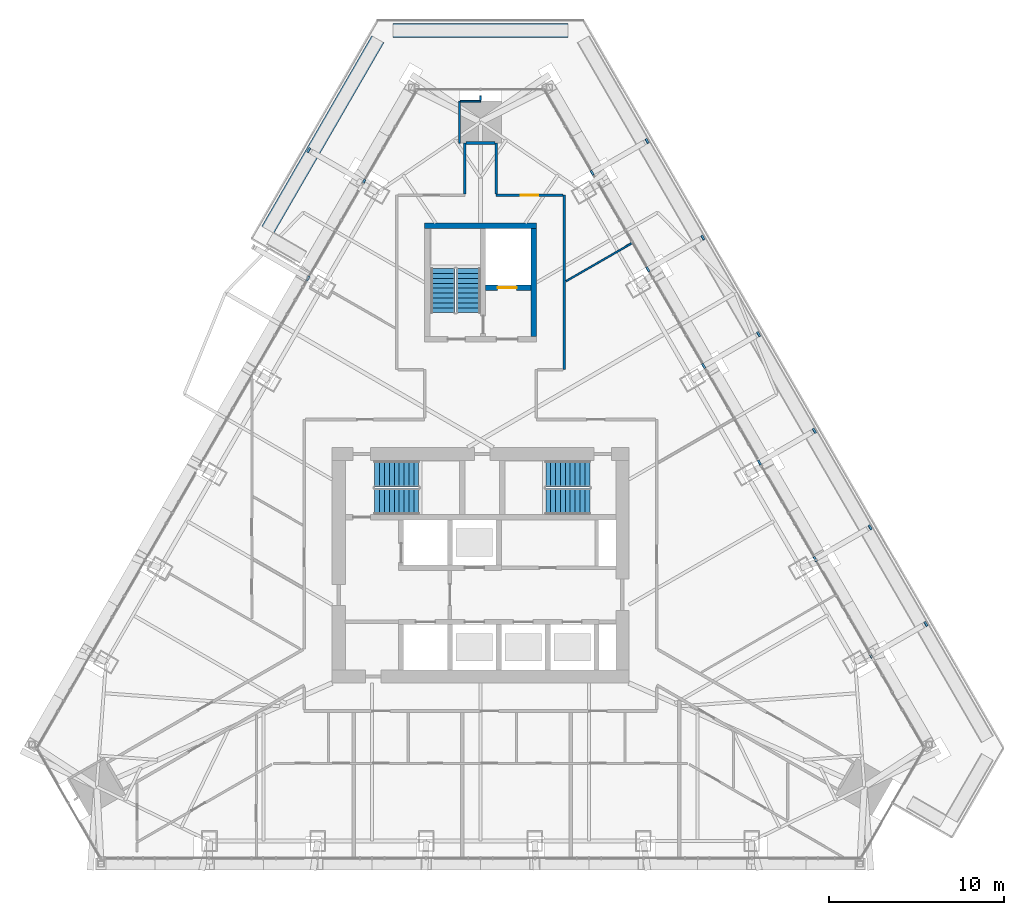
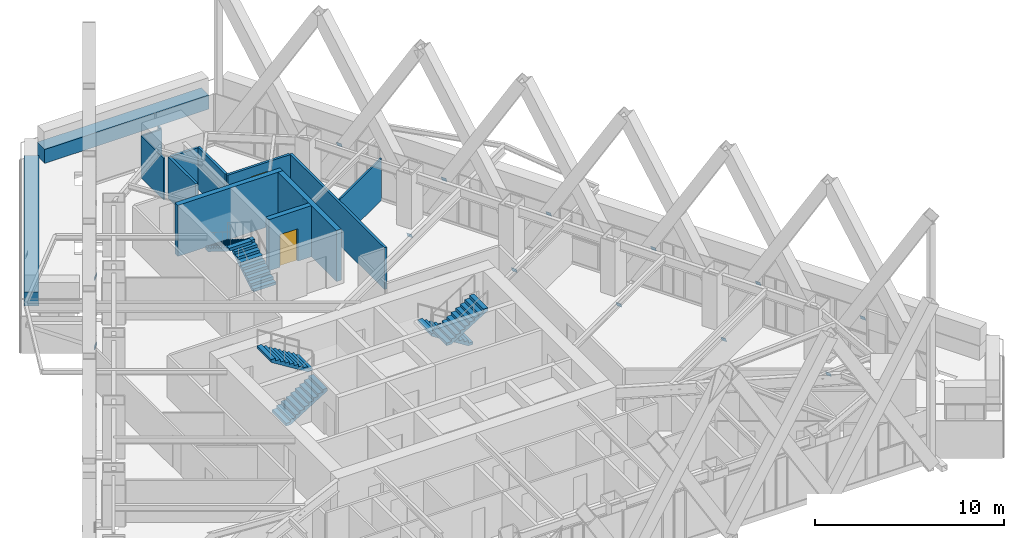
# One storey, part 20 of 23: 15 discrete accessories, 14 walls, 6 stair flights, 2 doors, 2 openings, 3 elements without a shape of their own.
"""IFC4 building model written with IfcOpenShell, lengths in metres."""

from ifc_helpers import new_model, si_unit, direction, frame, frame_2d, origin, place, context, subcontext, project, spatial, polyline, rectangle, outline, extrude, material, layer, layer_set, type_object, element, fill, aggregate, save


model = new_model("IFC4")

# Units and contexts
model_context = context("Model", 3, precision=1e-05, world=origin(), true_north=direction((0.0, 1.0)))
body_context = subcontext(model_context, "Body", "Model", "MODEL_VIEW")
ifc_project = project(units=[si_unit("LENGTHUNIT", "METRE"), si_unit("AREAUNIT", "SQUARE_METRE"), si_unit("VOLUMEUNIT", "CUBIC_METRE"), si_unit("PLANEANGLEUNIT", "RADIAN"), si_unit("MASSUNIT", "GRAM", prefix="KILO")], contexts=[model_context])

# Site, building, storey
site_placement = place(None, origin())
site = spatial("IfcSite", under=ifc_project, at=site_placement, CompositionType="ELEMENT")
building_placement = place(site_placement, origin())
building = spatial("IfcBuilding", under=site, at=building_placement, Name="Firuza Gate Tower and Library", CompositionType="ELEMENT")
storey_placement = place(building_placement, frame((0.0, 0.0, 291.60009765625)))
storey = spatial("IfcBuildingStorey", under=building, at=storey_placement, Name="L70", CompositionType="ELEMENT", Elevation=291.60009765625)

# Walls
ifc_material_1 = material(Name="Concrete C60/75", Category="concrete")
ifc_layer_1 = layer(ifc_material_1, 0.300048828125)
ifc_layer_set_1 = layer_set([ifc_layer_1], Name="Core wall 300 C60/75")
wall_type_1 = type_object("IfcWallType", Name="Core wall 300 C60/75", PredefinedType="SHEAR", material=ifc_layer_set_1)
wall_1_placement = place(storey_placement, frame((71.800048828125, 94.449951171875, 0.0), z_axis=(0.0, 0.0, 1.0), x_axis=(1.0, 0.0, 0.0)))
element("IfcWall", 1, at=wall_1_placement, inside=storey, type_object=wall_type_1, Name="Core wall L70 19", PredefinedType="SHEAR", context=body_context, shape_type="SweptSolid", body=[
    extrude(rectangle(XDim=6.39990234375, YDim=0.300048828125, at=frame_2d((3.199951171875, 0.0))), origin(), (0.0, 0.0, 1.0), 3.2998046875),
])
wall_2_placement = place(storey_placement, frame((78.050048828125, 88.10009765625, 0.0), z_axis=(0.0, 0.0, 1.0), x_axis=(0.0, 1.0, 0.0)))
element("IfcWall", 2, at=wall_2_placement, inside=storey, type_object=wall_type_1, Name="Core wall L70 21", PredefinedType="SHEAR", context=body_context, shape_type="SweptSolid", body=[
    extrude(rectangle(XDim=6.199951171875, YDim=0.300048828125, at=frame_2d((3.10009765625, 0.0))), origin(), (0.0, 0.0, 1.0), 3.2998046875),
])

# Wall, opening, door
wall_3_placement = place(storey_placement, frame((75.300048828125, 90.89990234375, 0.0), z_axis=(0.0, 0.0, 1.0), x_axis=(1.0, 0.0, 0.0)))
wall_3 = element("IfcWall", 3, at=wall_3_placement, inside=storey, type_object=wall_type_1, Name="Core wall L70 22", PredefinedType="SHEAR", context=body_context, shape_type="SweptSolid", body=[
    extrude(rectangle(XDim=2.599853515625, YDim=0.300048828125, at=frame_2d((1.2998046875, 0.0))), origin(), (0.0, 0.0, 1.0), 3.2998046875),
])
opening_1_placement = place(wall_3_placement, frame((0.675048828125, 0.0, 0.0)))
opening_1 = element("IfcOpeningElement", 4, at=opening_1_placement, cuts=wall_3, Name="Opening LD-SV1-L70", PredefinedType="OPENING", context=body_context, shape_type="SweptSolid", body=[
    extrude(rectangle(XDim=1.10009765625, YDim=2.10009765625, at=frame_2d((0.550048828125, 1.050048828125))), frame((0.0, 0.16015625, 0.0), z_axis=(0.0, -1.0, 0.0), x_axis=(1.0, 0.0, 0.0)), (0.0, 0.0, 1.0), 0.320068359375),
])
ifc_material_2 = material(Name="Stainless steel", Category="steel")
door_type_1 = type_object("IfcDoorType", Name="Lift landing door 1100x2100", OperationType="DOUBLE_DOOR_SLIDING", PredefinedType="DOOR", material=ifc_material_2)
door_1_placement = place(opening_1_placement, origin())
door_1 = element("IfcDoor", 5, at=door_1_placement, inside=storey, type_object=door_type_1, Name="Landing door SV1 L70", OperationType="DOUBLE_DOOR_SLIDING", OverallHeight=2.10009765625, OverallWidth=1.10009765625, PredefinedType="DOOR", context=body_context, shape_type="SweptSolid", body=[
    extrude(rectangle(XDim=1.10009765625, YDim=2.10009765625, at=frame_2d((0.550048828125, 1.050048828125))), frame((0.0, 0.02490234375, 0.0), z_axis=(0.0, -1.0, 0.0), x_axis=(1.0, 0.0, 0.0)), (0.0, 0.0, 1.0), 0.050048828125),
])
fill(opening_1, door_1)

ifc_material_3 = material(Name="Gypsum board partition")
ifc_layer_2 = layer(ifc_material_3, 0.14990234375)
ifc_layer_set_2 = layer_set([ifc_layer_2], Name="Corridor wall 150 double board on steel studs")
wall_type_2 = type_object("IfcWallType", Name="Corridor wall 150 double board on steel studs", PredefinedType="PARTITIONING", material=ifc_layer_set_2)
wall_4_placement = place(storey_placement, frame((75.89990234375, 96.199951171875, 0.0), z_axis=(0.0, 0.0, 1.0), x_axis=(1.0, 0.0, 0.0)))
wall_4 = element("IfcWall", 6, at=wall_4_placement, inside=storey, type_object=wall_type_2, Name="f:L70:w007", PredefinedType="PARTITIONING", context=body_context, shape_type="SweptSolid", body=[
    extrude(rectangle(XDim=3.82470703125, YDim=0.14990234375, at=frame_2d((1.912353515625, 0.0))), origin(), (0.0, 0.0, 1.0), 2.699951171875),
])
opening_2_placement = place(wall_4_placement, frame((1.412353515625, 0.0, 0.0)))
opening_2 = element("IfcOpeningElement", 7, at=opening_2_placement, cuts=wall_4, Name="Opening L70-15", PredefinedType="OPENING", context=body_context, shape_type="SweptSolid", body=[
    extrude(rectangle(XDim=1.0, YDim=2.10009765625, at=frame_2d((0.5, 1.050048828125))), frame((0.0, 0.0849609375, 0.0), z_axis=(0.0, -1.0, 0.0), x_axis=(1.0, 0.0, 0.0)), (0.0, 0.0, 1.0), 0.169921875),
])
ifc_material_4 = material(Name="Steel door and timber leaf", Category="steel")
door_type_2 = type_object("IfcDoorType", Name="Fire door 1000 x 2100 steel frame, timber leaf", OperationType="NOTDEFINED", PredefinedType="DOOR", material=ifc_material_4)
door_2_placement = place(opening_2_placement, origin())
door_2 = element("IfcDoor", 8, at=door_2_placement, inside=storey, type_object=door_type_2, Name="f:L70:d015", OperationType="SINGLE_SWING_RIGHT", OverallHeight=2.10009765625, OverallWidth=1.0, PredefinedType="DOOR", context=body_context, shape_type="SweptSolid", body=[
    extrude(rectangle(XDim=1.0, YDim=2.10009765625, at=frame_2d((0.5, 1.050048828125))), frame((0.0, 0.02490234375, 0.0), z_axis=(0.0, -1.0, 0.0), x_axis=(1.0, 0.0, 0.0)), (0.0, 0.0, 1.0), 0.050048828125),
])
fill(opening_2, door_2)

# Walls
wall_5_placement = place(storey_placement, frame((74.180419921875, 99.18896484375, 0.0), z_axis=(0.0, 0.0, 1.0), x_axis=(1.0, 0.0, 0.0)))
element("IfcWall", 9, at=wall_5_placement, inside=storey, type_object=wall_type_2, Name="f:L70:w008", PredefinedType="PARTITIONING", context=body_context, shape_type="SweptSolid", body=[
    extrude(rectangle(XDim=1.64404296875, YDim=0.14990234375, at=frame_2d((0.822021484375, 0.0))), origin(), (0.0, 0.0, 1.0), 2.697021484375),
])
wall_6_placement = place(storey_placement, frame((79.800048828125, 86.200439453125, 0.0), z_axis=(0.0, 0.0, 1.0), x_axis=(0.0, 1.0, 0.0)))
element("IfcWall", 10, at=wall_6_placement, inside=storey, type_object=wall_type_2, Name="f:L70:w030", PredefinedType="PARTITIONING", context=body_context, shape_type="SweptSolid", body=[
    extrude(rectangle(XDim=9.9990234375, YDim=0.14990234375, at=frame_2d((4.99951171875, 0.0))), origin(), (0.0, 0.0, 1.0), 2.699951171875),
])
wall_7_placement = place(storey_placement, frame((75.89990234375, 96.27490234375, 0.0), z_axis=(0.0, 0.0, 1.0), x_axis=(0.0, 1.0, 0.0)))
element("IfcWall", 11, at=wall_7_placement, inside=storey, type_object=wall_type_2, Name="f:L70:w033", PredefinedType="PARTITIONING", context=body_context, shape_type="SweptSolid", body=[
    extrude(rectangle(XDim=2.913818359375, YDim=0.14990234375, at=frame_2d((1.45703125, 0.0))), origin(), (0.0, 0.0, 1.0), 2.699951171875),
])
wall_8_placement = place(storey_placement, frame((74.10009765625, 96.27490234375, 0.0), z_axis=(0.0, 0.0, 1.0), x_axis=(0.0, 1.0, 0.0)))
element("IfcWall", 12, at=wall_8_placement, inside=storey, type_object=wall_type_2, Name="f:L70:w035", PredefinedType="PARTITIONING", context=body_context, shape_type="SweptSolid", body=[
    extrude(rectangle(XDim=2.914306640625, YDim=0.14990234375, at=frame_2d((1.45703125, 0.0))), origin(), (0.0, 0.0, 1.0), 2.699951171875),
])
ifc_material_5 = material(Name="Gypsum board partition")
ifc_layer_3 = layer(ifc_material_5, 0.10009765625)
ifc_layer_set_3 = layer_set([ifc_layer_3], Name="Partition 100 gypsum board on steel studs")
wall_type_3 = type_object("IfcWallType", Name="Partition 100 gypsum board on steel studs", PredefinedType="PARTITIONING", material=ifc_layer_set_3)
wall_9_placement = place(storey_placement, frame((73.8505859375, 101.589111328125, 0.0), z_axis=(0.0, 0.0, 1.0), x_axis=(1.0, 0.0, 0.0)))
element("IfcWall", 13, at=wall_9_placement, inside=storey, type_object=wall_type_3, Name="f:L70:w009", PredefinedType="PARTITIONING", context=body_context, shape_type="SweptSolid", body=[
    extrude(rectangle(XDim=1.1494140625, YDim=0.10009765625, at=frame_2d((0.57470703125, 0.0))), origin(), (0.0, 0.0, 1.0), 2.699951171875),
])
wall_10_placement = place(storey_placement, frame((79.901123046875, 91.27392578125, 0.0), z_axis=(0.0, 0.0, 1.0), x_axis=(0.86602077629, 0.50000801497, 0.0)))
element("IfcWall", 14, at=wall_10_placement, inside=storey, type_object=wall_type_3, Name="f:L70:w017", PredefinedType="PARTITIONING", context=body_context, shape_type="SweptSolid", body=[
    extrude(rectangle(XDim=4.39111328125, YDim=0.10009765625, at=frame_2d((2.195556640625, 0.0))), origin(), (0.0, 0.0, 1.0), 2.699951171875),
])
wall_11_placement = place(storey_placement, frame((75.0, 101.639404296875, 0.0), z_axis=(0.0, 0.0, 1.0), x_axis=(0.0, 1.0, 0.0)))
element("IfcWall", 15, at=wall_11_placement, inside=storey, type_object=wall_type_3, Name="f:L70:w034", PredefinedType="PARTITIONING", context=body_context, shape_type="SweptSolid", body=[
    extrude(rectangle(XDim=0.25, YDim=0.10009765625, at=frame_2d((0.125, 0.0))), origin(), (0.0, 0.0, 1.0), 2.699951171875),
])
wall_12_placement = place(storey_placement, frame((73.800048828125, 99.18994140625, 0.0), z_axis=(0.0, 0.0, 1.0), x_axis=(0.0, 1.0, 0.0)))
element("IfcWall", 16, at=wall_12_placement, inside=storey, type_object=wall_type_3, Name="f:L70:w037", PredefinedType="PARTITIONING", context=body_context, shape_type="SweptSolid", body=[
    extrude(rectangle(XDim=2.39892578125, YDim=0.10009765625, at=frame_2d((1.199462890625, 0.0))), origin(), (0.0, 0.0, 1.0), 2.699951171875),
])
ifc_material_6 = material(Name="Concrete C40/50", Category="concrete")
ifc_layer_4 = layer(ifc_material_6, 0.800048828125)
ifc_layer_set_4 = layer_set([ifc_layer_4], Name="Planter wall 800")
wall_type_4 = type_object("IfcWallType", Name="Planter wall 800", PredefinedType="SOLIDWALL", material=ifc_layer_set_4)
wall_13_placement = place(storey_placement, frame((80.009521484375, 105.639404296875, 0.0), z_axis=(0.0, 0.0, 1.0), x_axis=(-1.0, 0.0, 0.0)))
element("IfcWall", 17, at=wall_13_placement, inside=storey, type_object=wall_type_4, Name="PLANTER L70 4", PredefinedType="SOLIDWALL", context=body_context, shape_type="SweptSolid", body=[
    extrude(rectangle(XDim=10.01904296875, YDim=0.800048828125, at=frame_2d((5.009521484375, 0.0))), origin(), (0.0, 0.0, 1.0), 0.89990234375),
])
wall_14_placement = place(storey_placement, frame((69.116943359375, 105.135009765625, 0.0), z_axis=(0.0, 0.0, 1.0), x_axis=(-0.500004627431, -0.86602273212, 0.0)))
element("IfcWall", 18, at=wall_14_placement, inside=storey, type_object=wall_type_4, Name="PLANTER L70 5", PredefinedType="SOLIDWALL", context=body_context, shape_type="SweptSolid", body=[
    extrude(rectangle(XDim=12.607421875, YDim=0.800048828125, at=frame_2d((6.3037109375, 0.0))), origin(), (0.0, 0.0, 1.0), 0.89990234375),
])

# Stair, stair flights
ifc_material_7 = material(Name="Concrete C35/45", Category="concrete")
stair_type_1 = type_object("IfcStairType", Name="Exit stair ST17", PredefinedType="HALF_TURN_STAIR", material=ifc_material_7)
placement = place(storey_placement, origin())
stair_1 = element("IfcStair", 19, at=placement, inside=storey, type_object=stair_type_1, Name="L70 Stair ST3", PredefinedType="HALF_TURN_STAIR")
ifc_material_8 = material(Name="Concrete C35/45", Category="concrete")
stair_flight_type_1 = type_object("IfcStairFlightType", Name="Stair flight 10 risers 175 width 1370", PredefinedType="STRAIGHT", material=ifc_material_8)
stair_flight_1_placement = place(storey_placement, frame((74.31494140625, 89.469970703125, 0.0), z_axis=(0.0, 0.0, 1.0), x_axis=(0.0, 1.0, 0.0)))
stair_flight_1 = element("IfcStairFlight", 20, at=stair_flight_1_placement, type_object=stair_flight_type_1, Name="ST3 flight 1", NumberOfRisers=10, NumberOfTreads=9, PredefinedType="STRAIGHT", RiserHeight=0.175, TreadLength=0.28, context=body_context, shape_type="SweptSolid", body=[
    extrude(outline(polyline([(0.0, 0.0), (0.0, 0.175048828125), (0.280029296875, 0.175048828125), (0.280029296875, 0.35009765625), (0.56005859375, 0.35009765625), (0.56005859375, 0.52490234375), (0.840087890625, 0.52490234375), (0.840087890625, 0.699951171875), (1.1201171875, 0.699951171875), (1.1201171875, 0.875), (1.39990234375, 0.875), (1.39990234375, 1.050048828125), (1.679931640625, 1.050048828125), (1.679931640625, 1.22509765625), (1.9599609375, 1.22509765625), (1.9599609375, 1.39990234375), (2.239990234375, 1.39990234375), (2.239990234375, 1.574951171875), (2.52001953125, 1.574951171875), (2.52001953125, 1.75), (2.52001953125, 1.398193359375), (0.28271484375, 0.0), (0.0, 0.0)])), frame((0.0, 0.68505859375, 0.0), z_axis=(0.0, -1.0, 0.0), x_axis=(1.0, 0.0, 0.0)), (0.0, 0.0, 1.0), 1.3701171875),
])
stair_flight_2_placement = place(storey_placement, frame((72.844970703125, 91.989990234375, 1.75), z_axis=(0.0, 0.0, 1.0), x_axis=(0.0, -1.0, 0.0)))
stair_flight_2 = element("IfcStairFlight", 21, at=stair_flight_2_placement, type_object=stair_flight_type_1, Name="ST3 flight 2", NumberOfRisers=10, NumberOfTreads=9, PredefinedType="STRAIGHT", RiserHeight=0.175, TreadLength=0.28, context=body_context, shape_type="SweptSolid", body=[
    extrude(outline(polyline([(0.0, 0.0), (0.0, 0.175048828125), (0.280029296875, 0.175048828125), (0.280029296875, 0.35009765625), (0.56005859375, 0.35009765625), (0.56005859375, 0.52490234375), (0.840087890625, 0.52490234375), (0.840087890625, 0.699951171875), (1.1201171875, 0.699951171875), (1.1201171875, 0.875), (1.39990234375, 0.875), (1.39990234375, 1.050048828125), (1.679931640625, 1.050048828125), (1.679931640625, 1.22509765625), (1.9599609375, 1.22509765625), (1.9599609375, 1.39990234375), (2.239990234375, 1.39990234375), (2.239990234375, 1.574951171875), (2.52001953125, 1.574951171875), (2.52001953125, 1.75), (2.52001953125, 1.398193359375), (0.28271484375, 0.0), (0.0, 0.0)])), frame((0.0, 0.68505859375, 0.0), z_axis=(0.0, -1.0, 0.0), x_axis=(1.0, 0.0, 0.0)), (0.0, 0.0, 1.0), 1.3701171875),
])
aggregate(stair_1, [stair_flight_1, stair_flight_2])

ifc_material_9 = material(Name="Concrete C35/45", Category="concrete")
stair_type_2 = type_object("IfcStairType", Name="Exit stair ST8", PredefinedType="HALF_TURN_STAIR", material=ifc_material_9)
stair_2 = element("IfcStair", 22, at=placement, inside=storey, type_object=stair_type_2, Name="L70 Stair ST1", PredefinedType="HALF_TURN_STAIR")
ifc_material_10 = material(Name="Concrete C35/45", Category="concrete")
stair_flight_type_2 = type_object("IfcStairFlightType", Name="Stair flight 10 risers 175 width 1490", PredefinedType="STRAIGHT", material=ifc_material_10)
stair_flight_3_placement = place(storey_placement, frame((68.93994140625, 78.64501953125, 0.0), z_axis=(0.0, 0.0, 1.0), x_axis=(1.0, 0.0, 0.0)))
stair_flight_3 = element("IfcStairFlight", 23, at=stair_flight_3_placement, type_object=stair_flight_type_2, Name="ST1 flight 1", NumberOfRisers=10, NumberOfTreads=9, PredefinedType="STRAIGHT", RiserHeight=0.175, TreadLength=0.28, context=body_context, shape_type="SweptSolid", body=[
    extrude(outline(polyline([(0.0, 0.0), (0.0, 0.175048828125), (0.280029296875, 0.175048828125), (0.280029296875, 0.35009765625), (0.56005859375, 0.35009765625), (0.56005859375, 0.52490234375), (0.840087890625, 0.52490234375), (0.840087890625, 0.699951171875), (1.1201171875, 0.699951171875), (1.1201171875, 0.875), (1.39990234375, 0.875), (1.39990234375, 1.050048828125), (1.679931640625, 1.050048828125), (1.679931640625, 1.22509765625), (1.9599609375, 1.22509765625), (1.9599609375, 1.39990234375), (2.239990234375, 1.39990234375), (2.239990234375, 1.574951171875), (2.52001953125, 1.574951171875), (2.52001953125, 1.75), (2.52001953125, 1.398193359375), (0.28271484375, 0.0), (0.0, 0.0)])), frame((0.0, 0.7451171875, 0.0), z_axis=(0.0, -1.0, 0.0), x_axis=(1.0, 0.0, 0.0)), (0.0, 0.0, 1.0), 1.489990234375),
])
stair_flight_4_placement = place(storey_placement, frame((71.4599609375, 80.235107421875, 1.75), z_axis=(0.0, 0.0, 1.0), x_axis=(-1.0, 0.0, 0.0)))
stair_flight_4 = element("IfcStairFlight", 24, at=stair_flight_4_placement, type_object=stair_flight_type_2, Name="ST1 flight 2", NumberOfRisers=10, NumberOfTreads=9, PredefinedType="STRAIGHT", RiserHeight=0.175, TreadLength=0.28, context=body_context, shape_type="SweptSolid", body=[
    extrude(outline(polyline([(0.0, 0.0), (0.0, 0.175048828125), (0.280029296875, 0.175048828125), (0.280029296875, 0.35009765625), (0.56005859375, 0.35009765625), (0.56005859375, 0.52490234375), (0.840087890625, 0.52490234375), (0.840087890625, 0.699951171875), (1.1201171875, 0.699951171875), (1.1201171875, 0.875), (1.39990234375, 0.875), (1.39990234375, 1.050048828125), (1.679931640625, 1.050048828125), (1.679931640625, 1.22509765625), (1.9599609375, 1.22509765625), (1.9599609375, 1.39990234375), (2.239990234375, 1.39990234375), (2.239990234375, 1.574951171875), (2.52001953125, 1.574951171875), (2.52001953125, 1.75), (2.52001953125, 1.398193359375), (0.28271484375, 0.0), (0.0, 0.0)])), frame((0.0, 0.7451171875, 0.0), z_axis=(0.0, -1.0, 0.0), x_axis=(1.0, 0.0, 0.0)), (0.0, 0.0, 1.0), 1.489990234375),
])
aggregate(stair_2, [stair_flight_3, stair_flight_4])

stair_3 = element("IfcStair", 25, at=placement, inside=storey, type_object=stair_type_2, Name="L70 Stair ST2", PredefinedType="HALF_TURN_STAIR")
stair_flight_5_placement = place(storey_placement, frame((81.260009765625, 80.235107421875, 0.0), z_axis=(0.0, 0.0, 1.0), x_axis=(-1.0, 0.0, 0.0)))
stair_flight_5 = element("IfcStairFlight", 26, at=stair_flight_5_placement, type_object=stair_flight_type_2, Name="ST2 flight 1", NumberOfRisers=10, NumberOfTreads=9, PredefinedType="STRAIGHT", RiserHeight=0.175, TreadLength=0.28, context=body_context, shape_type="SweptSolid", body=[
    extrude(outline(polyline([(0.0, 0.0), (0.0, 0.175048828125), (0.280029296875, 0.175048828125), (0.280029296875, 0.35009765625), (0.56005859375, 0.35009765625), (0.56005859375, 0.52490234375), (0.840087890625, 0.52490234375), (0.840087890625, 0.699951171875), (1.1201171875, 0.699951171875), (1.1201171875, 0.875), (1.39990234375, 0.875), (1.39990234375, 1.050048828125), (1.679931640625, 1.050048828125), (1.679931640625, 1.22509765625), (1.9599609375, 1.22509765625), (1.9599609375, 1.39990234375), (2.239990234375, 1.39990234375), (2.239990234375, 1.574951171875), (2.52001953125, 1.574951171875), (2.52001953125, 1.75), (2.52001953125, 1.398193359375), (0.28271484375, 0.0), (0.0, 0.0)])), frame((0.0, 0.7451171875, 0.0), z_axis=(0.0, -1.0, 0.0), x_axis=(1.0, 0.0, 0.0)), (0.0, 0.0, 1.0), 1.489990234375),
])
stair_flight_6_placement = place(storey_placement, frame((78.739990234375, 78.64501953125, 1.75), z_axis=(0.0, 0.0, 1.0), x_axis=(1.0, 0.0, 0.0)))
stair_flight_6 = element("IfcStairFlight", 27, at=stair_flight_6_placement, type_object=stair_flight_type_2, Name="ST2 flight 2", NumberOfRisers=10, NumberOfTreads=9, PredefinedType="STRAIGHT", RiserHeight=0.175, TreadLength=0.28, context=body_context, shape_type="SweptSolid", body=[
    extrude(outline(polyline([(0.0, 0.0), (0.0, 0.175048828125), (0.280029296875, 0.175048828125), (0.280029296875, 0.35009765625), (0.56005859375, 0.35009765625), (0.56005859375, 0.52490234375), (0.840087890625, 0.52490234375), (0.840087890625, 0.699951171875), (1.1201171875, 0.699951171875), (1.1201171875, 0.875), (1.39990234375, 0.875), (1.39990234375, 1.050048828125), (1.679931640625, 1.050048828125), (1.679931640625, 1.22509765625), (1.9599609375, 1.22509765625), (1.9599609375, 1.39990234375), (2.239990234375, 1.39990234375), (2.239990234375, 1.574951171875), (2.52001953125, 1.574951171875), (2.52001953125, 1.75), (2.52001953125, 1.398193359375), (0.28271484375, 0.0), (0.0, 0.0)])), frame((0.0, 0.7451171875, 0.0), z_axis=(0.0, -1.0, 0.0), x_axis=(1.0, 0.0, 0.0)), (0.0, 0.0, 1.0), 1.489990234375),
])
aggregate(stair_3, [stair_flight_5, stair_flight_6])

# Discrete accessories
ifc_material_11 = material(Name="Steel S355", Category="steel")
ifc_layer_5 = layer(ifc_material_11, 0.02001953125)
ifc_layer_set_5 = layer_set([ifc_layer_5], Name="Strut seat plate 304x304x20 Steel S355")
discrete_accessory_type = type_object("IfcDiscreteAccessoryType", Name="Strut seat plate 304x304x20 Steel S355", PredefinedType="BRACKET", material=ifc_layer_set_5)
discrete_accessory_1_placement = place(storey_placement, frame((97.24853515625, 69.9228515625, -1.53564453125), z_axis=(0.807065000242, 0.466204446129, 0.362352728421), x_axis=(0.500174513809, -0.865924622089, 6.7792295e-05)))
element("IfcDiscreteAccessory", 28, at=discrete_accessory_1_placement, inside=storey, type_object=discrete_accessory_type, Name="Strut seat plate L70 col:L69:E1", PredefinedType="BRACKET", context=body_context, shape_type="SweptSolid", body=[
    extrude(outline(polyline([(0.0, 0.0), (0.3041849095061368, -6.938893903907228e-18), (0.3041337775364572, 0.304136698001982), (0.00016027540876014529, 0.30409246341043505), (0.0, 0.0)])), origin(), (0.0, 0.0, -1.0), 0.02001953125),
])
discrete_accessory_2_placement = place(storey_placement, frame((100.550537109375, 71.47802734375, -0.12109375), z_axis=(0.807389027558, 0.465642999667, 0.362352804651), x_axis=(-0.499572155029, 0.866272276673, -6.7737836e-05)))
element("IfcDiscreteAccessory", 29, at=discrete_accessory_2_placement, inside=storey, type_object=discrete_accessory_type, Name="Strut seat plate L70 col:L69:E1", PredefinedType="BRACKET", context=body_context, shape_type="SweptSolid", body=[
    extrude(outline(polyline([(0.0, 0.0), (0.3040629069720726, 0.0), (0.3039792139210128, -0.30409249414364486), (0.0001277992039872251, -0.3041366754621787), (0.0, 0.0)])), origin(), (0.0, 0.0, -1.0), 0.02001953125),
])
discrete_accessory_3_placement = place(storey_placement, frame((94.053955078125, 75.4560546875, -1.53564453125), z_axis=(0.807065000242, 0.466204446129, 0.362352728421), x_axis=(0.500220173323, -0.865898246677, -6.7839443e-05)))
element("IfcDiscreteAccessory", 30, at=discrete_accessory_3_placement, inside=storey, type_object=discrete_accessory_type, Name="Strut seat plate L70 col:L69:E2", PredefinedType="BRACKET", context=body_context, shape_type="SweptSolid", body=[
    extrude(outline(polyline([(0.0, 0.0), (0.30397350534623263, -1.3877787807814457e-17), (0.3041780326557639, 0.30409243686716886), (-6.873629598945817e-06, 0.30413670222250444), (0.0, 0.0)])), origin(), (0.0, 0.0, -1.0), 0.02001953125),
])
discrete_accessory_4_placement = place(storey_placement, frame((97.35595703125, 77.011474609375, -0.12109375), z_axis=(0.806912615133, 0.466332615239, 0.36252713485), x_axis=(-0.500371262739, 0.865810949009, 0.0)))
element("IfcDiscreteAccessory", 31, at=discrete_accessory_4_placement, inside=storey, type_object=discrete_accessory_type, Name="Strut seat plate L70 col:L69:E2", PredefinedType="BRACKET", context=body_context, shape_type="SweptSolid", body=[
    extrude(outline(polyline([(0.0, 0.0), (0.3039735106735333, 0.0), (0.30398037364841063, -0.30413670754718714), (6.862974877369643e-06, -0.30413670754718714), (0.0, 0.0)])), origin(), (0.0, 0.0, -1.0), 0.02001953125),
])
discrete_accessory_5_placement = place(storey_placement, frame((90.859375, 80.989501953125, -1.53564453125), z_axis=(0.807389027558, 0.465642999667, 0.362352804651), x_axis=(0.499572155029, -0.866272276673, 6.7737836e-05)))
element("IfcDiscreteAccessory", 32, at=discrete_accessory_5_placement, inside=storey, type_object=discrete_accessory_type, Name="Strut seat plate L70 col:L69:E3", PredefinedType="BRACKET", context=body_context, shape_type="SweptSolid", body=[
    extrude(outline(polyline([(0.0, 0.0), (0.3040629069720726, 0.0), (0.30393510776808547, 0.3041366754621787), (8.369305105982846e-05, 0.30409249414364486), (0.0, 0.0)])), origin(), (0.0, 0.0, -1.0), 0.02001953125),
])
discrete_accessory_6_placement = place(storey_placement, frame((94.161376953125, 82.544677734375, -0.12109375), z_axis=(0.807065000242, 0.466204446129, 0.362352728421), x_axis=(-0.500174513809, 0.865924622089, -6.7792295e-05)))
element("IfcDiscreteAccessory", 33, at=discrete_accessory_6_placement, inside=storey, type_object=discrete_accessory_type, Name="Strut seat plate L70 col:L69:E3", PredefinedType="BRACKET", context=body_context, shape_type="SweptSolid", body=[
    extrude(outline(polyline([(0.0, 0.0), (0.3041849095061368, -6.938893903907228e-18), (0.3040246340973766, -0.30409246341043505), (5.113196967963103e-05, -0.30413669800198206), (0.0, 0.0)])), origin(), (0.0, 0.0, -1.0), 0.02001953125),
])
discrete_accessory_7_placement = place(storey_placement, frame((87.66455078125, 86.522705078125, -1.53564453125), z_axis=(0.807065000242, 0.466204446129, 0.362352728421), x_axis=(0.500220173323, -0.865898246677, -6.7839443e-05)))
element("IfcDiscreteAccessory", 34, at=discrete_accessory_7_placement, inside=storey, type_object=discrete_accessory_type, Name="Strut seat plate L70 col:L69:E4", PredefinedType="BRACKET", context=body_context, shape_type="SweptSolid", body=[
    extrude(outline(polyline([(0.0, 0.0), (0.30397350534623263, -1.3877787807814457e-17), (0.3041780326557639, 0.30409243686716886), (-6.873629598945817e-06, 0.30413670222250444), (0.0, 0.0)])), origin(), (0.0, 0.0, -1.0), 0.02001953125),
])
discrete_accessory_8_placement = place(storey_placement, frame((90.966552734375, 88.078125, -0.12109375), z_axis=(0.807236862691, 0.465771176803, 0.362527045021), x_axis=(-0.499768824934, 0.866158831638, 0.0)))
element("IfcDiscreteAccessory", 35, at=discrete_accessory_8_placement, inside=storey, type_object=discrete_accessory_type, Name="Strut seat plate L70 col:L69:E4", PredefinedType="BRACKET", context=body_context, shape_type="SweptSolid", body=[
    extrude(outline(polyline([(0.0, 0.0), (0.30385142324571607, -6.938893903907228e-18), (0.3039349890174445, -0.3041366961441935), (8.356577172844576e-05, -0.3041366961441935), (0.0, 0.0)])), origin(), (0.0, 0.0, -1.0), 0.02001953125),
])
discrete_accessory_9_placement = place(storey_placement, frame((84.469970703125, 92.05615234375, -1.53564453125), z_axis=(0.807328680114, 0.465982478786, 0.362050730879), x_axis=(0.499912926069, -0.866075668686, -4.9594885e-05)))
element("IfcDiscreteAccessory", 36, at=discrete_accessory_9_placement, inside=storey, type_object=discrete_accessory_type, Name="Strut seat plate L70 col:L69:E5", PredefinedType="BRACKET", context=body_context, shape_type="SweptSolid", body=[
    extrude(outline(polyline([(0.0, 0.0), (0.3041849119758097, -6.938893903907228e-18), (0.3040116990133482, 0.30406011569786934), (0.00016028034680475416, 0.3040924658782561), (0.0, 0.0)])), origin(), (0.0, 0.0, -1.0), 0.02001953125),
])
discrete_accessory_10_placement = place(storey_placement, frame((87.77197265625, 93.611328125, -0.12109375), z_axis=(0.807065000242, 0.466204446129, 0.362352728421), x_axis=(-0.500174513809, 0.865924622089, -6.7792295e-05)))
element("IfcDiscreteAccessory", 37, at=discrete_accessory_10_placement, inside=storey, type_object=discrete_accessory_type, Name="Strut seat plate L70 col:L69:E5", PredefinedType="BRACKET", context=body_context, shape_type="SweptSolid", body=[
    extrude(outline(polyline([(0.0, 0.0), (0.3041849095061368, -6.938893903907228e-18), (0.3040246340973766, -0.30409246341043505), (5.113196967963103e-05, -0.30413669800198206), (0.0, 0.0)])), origin(), (0.0, 0.0, -1.0), 0.02001953125),
])
discrete_accessory_11_placement = place(storey_placement, frame((81.275390625, 97.58935546875, -1.53564453125), z_axis=(0.807389027558, 0.465642999667, 0.362352804651), x_axis=(0.499617796206, -0.866245954172, -6.7784983e-05)))
element("IfcDiscreteAccessory", 38, at=discrete_accessory_11_placement, inside=storey, type_object=discrete_accessory_type, Name="Strut seat plate L70 col:L69:E6", PredefinedType="BRACKET", context=body_context, shape_type="SweptSolid", body=[
    extrude(outline(polyline([(0.0, 0.0), (0.30385141792910364, 6.938893903907228e-18), (0.3039793273513433, 0.30409247875968454), (-8.357640641559245e-05, 0.3041366908296457), (0.0, 0.0)])), origin(), (0.0, 0.0, -1.0), 0.02001953125),
])
discrete_accessory_12_placement = place(storey_placement, frame((84.577392578125, 99.144775390625, -0.12109375), z_axis=(0.807176415657, 0.466110685294, 0.362225155203), x_axis=(-0.500109644733, 0.865962083153, 0.000117414413)))
element("IfcDiscreteAccessory", 39, at=discrete_accessory_12_placement, inside=storey, type_object=discrete_accessory_type, Name="Strut seat plate L70 col:L69:E6", PredefinedType="BRACKET", context=body_context, shape_type="SweptSolid", body=[
    extrude(outline(polyline([(0.0, 0.0), (0.30397349470403323, 0.0), (0.30398038961827195, -0.30413669158553386), (0.00012899199547221094, -0.304060124563596), (0.0, 0.0)])), origin(), (0.0, 0.0, -1.0), 0.02001953125),
])
discrete_accessory_13_placement = place(storey_placement, frame((68.272705078125, 96.806396484375, -1.53564453125), z_axis=(-0.807065000242, 0.466204446129, 0.362352728421), x_axis=(0.500174513809, 0.865924622089, -6.7792295e-05)))
element("IfcDiscreteAccessory", 40, at=discrete_accessory_13_placement, inside=storey, type_object=discrete_accessory_type, Name="Strut seat plate L70 col:L69:W1", PredefinedType="BRACKET", context=body_context, shape_type="SweptSolid", body=[
    extrude(outline(polyline([(0.0, 0.0), (0.3041849095061368, 6.938893903907228e-18), (0.3040246340973766, 0.30409246341043505), (5.113196967963103e-05, 0.30413669800198206), (0.0, 0.0)])), origin(), (0.0, 0.0, -1.0), 0.02001953125),
])
discrete_accessory_14_placement = place(storey_placement, frame((65.274658203125, 98.888427734375, -0.12109375), z_axis=(-0.807389027558, 0.465642999667, 0.362352804651), x_axis=(-0.499617796206, -0.866245954172, -6.7784983e-05)))
element("IfcDiscreteAccessory", 41, at=discrete_accessory_14_placement, inside=storey, type_object=discrete_accessory_type, Name="Strut seat plate L70 col:L69:W1", PredefinedType="BRACKET", context=body_context, shape_type="SweptSolid", body=[
    extrude(outline(polyline([(0.0, 0.0), (0.30385141792910364, -6.938893903907228e-18), (0.3039793273513433, -0.30409247875968454), (-8.357640641559245e-05, -0.3041366908296457), (0.0, 0.0)])), origin(), (0.0, 0.0, -1.0), 0.02001953125),
])
discrete_accessory_15_placement = place(storey_placement, frame((65.078125, 91.273193359375, -1.53564453125), z_axis=(-0.807236862691, 0.465771176803, 0.362527045021), x_axis=(0.499768824934, 0.866158831638, 0.0)))
element("IfcDiscreteAccessory", 42, at=discrete_accessory_15_placement, inside=storey, type_object=discrete_accessory_type, Name="Strut seat plate L70 col:L69:W2", PredefinedType="BRACKET", context=body_context, shape_type="SweptSolid", body=[
    extrude(outline(polyline([(0.0, 0.0), (0.30385142324571607, 6.938893903907228e-18), (0.3039349890174445, 0.3041366961441935), (8.356577172844576e-05, 0.3041366961441935), (0.0, 0.0)])), origin(), (0.0, 0.0, -1.0), 0.02001953125),
])

save(model, "model.ifc")
